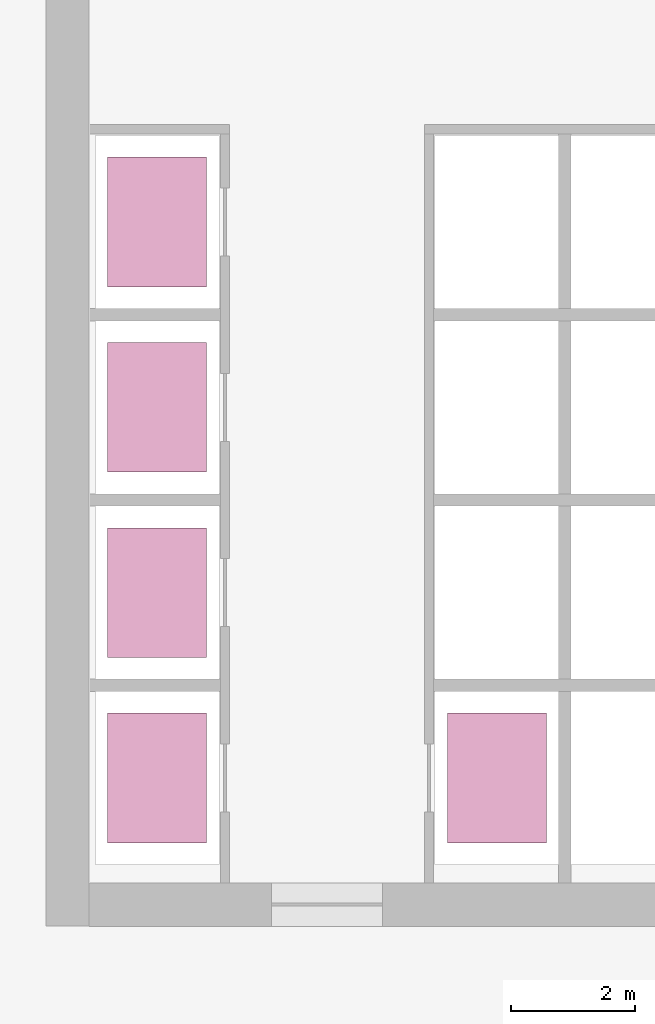
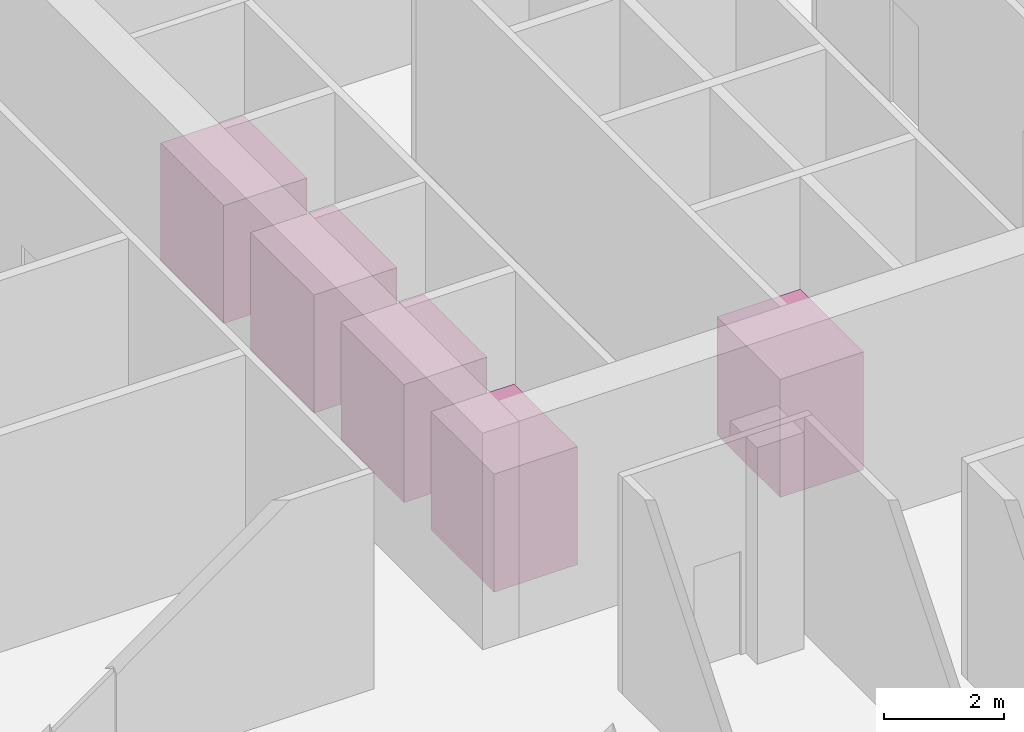
# One storey, part 19 of 19: 5 transport elements.
"""IFC4 building model written with IfcOpenShell, lengths in metres."""

from ifc_helpers import new_model, si_unit, direction, frame, origin, origin_2d, place, context, subcontext, project, spatial, rectangle, extrude, material, type_object, element, save


model = new_model("IFC4")

# Units and contexts
model_context = context("Model", 3, precision=1e-05, world=origin(), true_north=direction((0.0, 1.0)))
body_context = subcontext(model_context, "Body", "Model", "MODEL_VIEW")
ifc_project = project(units=[si_unit("LENGTHUNIT", "METRE"), si_unit("AREAUNIT", "SQUARE_METRE"), si_unit("VOLUMEUNIT", "CUBIC_METRE"), si_unit("PLANEANGLEUNIT", "RADIAN"), si_unit("MASSUNIT", "GRAM", prefix="KILO")], contexts=[model_context])

# Site, building, storey
site_placement = place(None, origin())
site = spatial("IfcSite", under=ifc_project, at=site_placement, CompositionType="ELEMENT")
building_placement = place(site_placement, origin())
building = spatial("IfcBuilding", under=site, at=building_placement, Name="Vermilion Ogive Tower", CompositionType="ELEMENT")
storey_placement = place(building_placement, frame((0.0, 0.0, 128.300048828125)))
storey = spatial("IfcBuildingStorey", under=building, at=storey_placement, Name="L32", CompositionType="ELEMENT", Elevation=128.300048828125)

# Transport elements
ifc_material = material(Name="Stainless steel", Category="steel")
transport_element_type = type_object("IfcTransportElementType", Name="Passenger lift car 2100 x 1600", PredefinedType="ELEVATOR", material=ifc_material)
for number, where, z_axis, x_axis, name in (
    (1, (-6.60009765625, -6.0, 0.0), (0.0, 0.0, 1.0), (1.0, 0.0, 0.0), "Lift HR1"),
    (2, (-6.60009765625, -3.0, 0.0), (0.0, 0.0, 1.0), (1.0, 0.0, 0.0), "Lift HR2"),
    (3, (-6.60009765625, 0.0, 0.0), (0.0, 0.0, 1.0), (1.0, 0.0, 0.0), "Lift HR3"),
    (4, (-6.60009765625, 3.0, 0.0), (0.0, 0.0, 1.0), (1.0, 0.0, 0.0), "Lift HR4"),
    (5, (-1.10009765625, -6.0, 0.0), (0.0, 0.0, 1.0), (1.0, 0.0, 0.0), "Lift HR5"),
):
    element("IfcTransportElement", number, at=place(storey_placement, frame(where, z_axis=z_axis, x_axis=x_axis)), inside=storey, type_object=transport_element_type, Name=name, PredefinedType="ELEVATOR", context=body_context, shape_type="SweptSolid", body=[
        extrude(rectangle(XDim=1.60009765625, YDim=2.10009765625, at=origin_2d()), origin(), (0.0, 0.0, 1.0), 2.39990234375),
    ])

save(model, "model.ifc")
